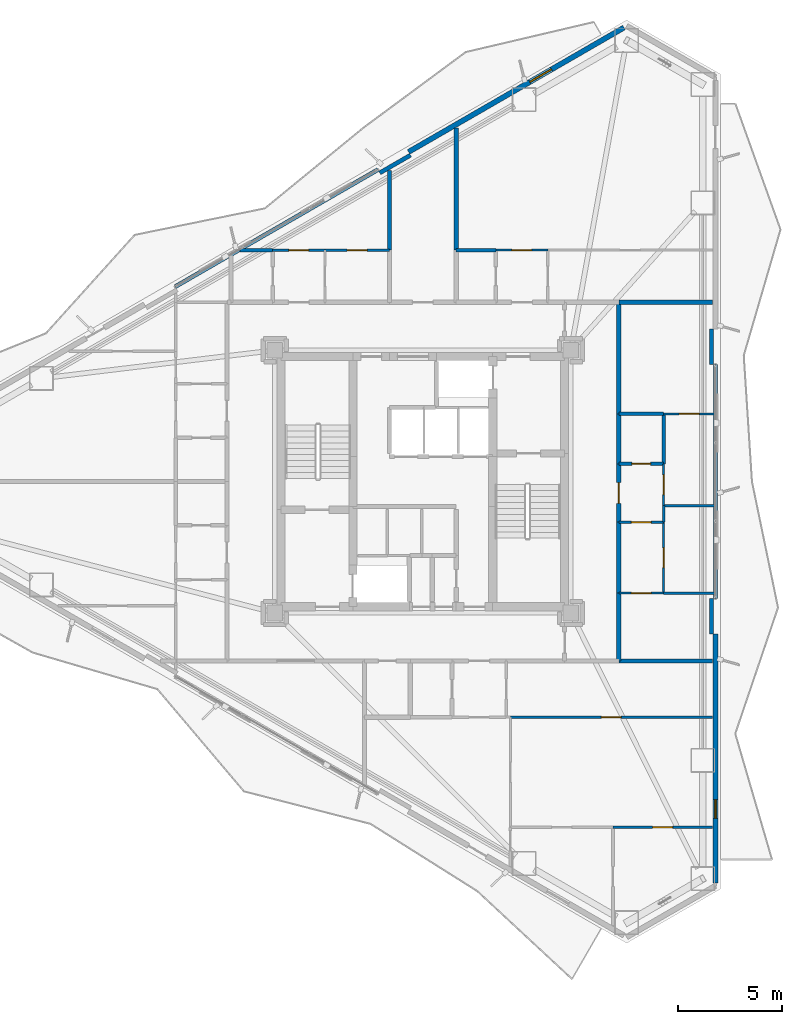
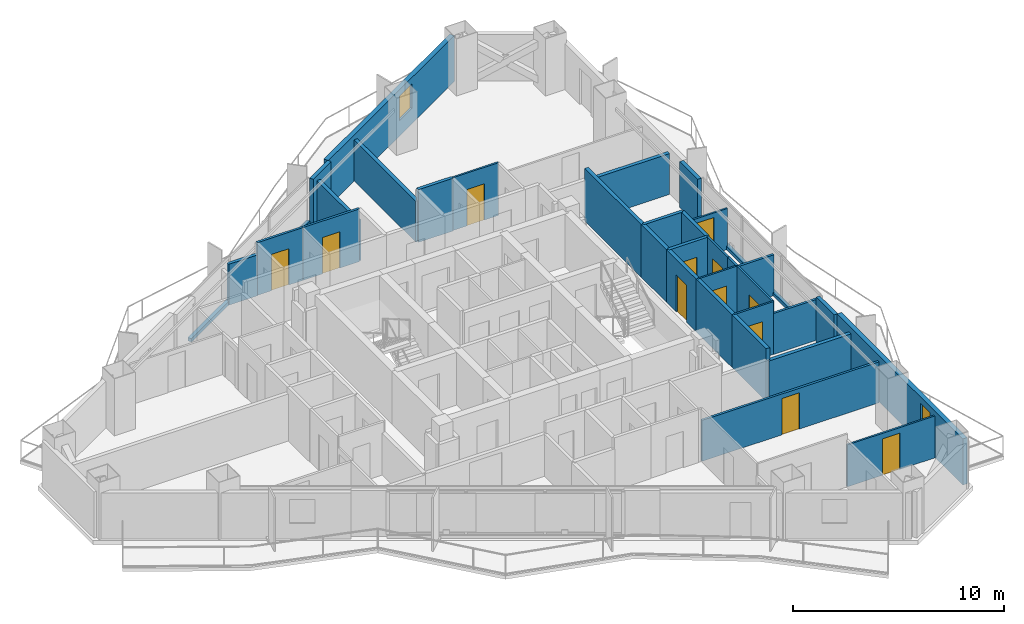
# One storey, part 19 of 22: 34 walls, 12 doors, 2 windows, 14 openings.
"""IFC4 building model written with IfcOpenShell, lengths in metres."""

from ifc_helpers import new_model, si_unit, direction, frame, frame_2d, origin, place, context, subcontext, project, spatial, rectangle, extrude, material, layer, layer_set, type_object, element, fill, save


model = new_model("IFC4")

# Units and contexts
model_context = context("Model", 3, precision=1e-05, world=origin(), true_north=direction((0.0, 1.0)))
body_context = subcontext(model_context, "Body", "Model", "MODEL_VIEW")
ifc_project = project(units=[si_unit("LENGTHUNIT", "METRE"), si_unit("AREAUNIT", "SQUARE_METRE"), si_unit("VOLUMEUNIT", "CUBIC_METRE"), si_unit("PLANEANGLEUNIT", "RADIAN"), si_unit("MASSUNIT", "GRAM", prefix="KILO")], contexts=[model_context])

# Site, building, storey
site_placement = place(None, origin())
site = spatial("IfcSite", under=ifc_project, at=site_placement, CompositionType="ELEMENT")
building_placement = place(site_placement, origin())
building = spatial("IfcBuilding", under=site, at=building_placement, Name="Mersakhor Tower and Convention Hall", CompositionType="ELEMENT")
storey_placement = place(building_placement, frame((0.0, 0.0, 103.199951171875)))
storey = spatial("IfcBuildingStorey", under=building, at=storey_placement, Name="L28", CompositionType="ELEMENT", Elevation=103.199951171875)

# Wall, opening, window
ifc_material_1 = material(Name="Precast concrete C40/50", Category="concrete")
ifc_layer_1 = layer(ifc_material_1, 0.25)
ifc_layer_set_1 = layer_set([ifc_layer_1], Name="Precast concrete C40/50")
wall_type_1 = type_object("IfcWallType", Name="WL-EXT-250", PredefinedType="SOLIDWALL", material=ifc_layer_set_1)
wall_1_placement = place(storey_placement, frame((28.3173828125, 42.561767578125, 0.0), z_axis=(0.0, 0.0, 1.0), x_axis=(0.866023023012, 0.500004123596, 0.0)))
wall_1 = element("IfcWall", 1, at=wall_1_placement, inside=storey, type_object=wall_type_1, Name="L28 Exterior Facade Wall F1-B3", PredefinedType="SOLIDWALL", context=body_context, shape_type="SweptSolid", body=[
    extrude(rectangle(XDim=11.9296875, YDim=0.25, at=frame_2d((5.96484375, 0.0))), origin(), (0.0, 0.0, 1.0), 2.670166015625),
])
opening_1_placement = place(wall_1_placement, frame((6.718017578125, 0.0, 0.89990234375)))
opening_1 = element("IfcOpeningElement", 2, at=opening_1_placement, cuts=wall_1, Name="Opening W-01", PredefinedType="OPENING", context=body_context, shape_type="SweptSolid", body=[
    extrude(rectangle(XDim=1.199951171875, YDim=1.39990234375, at=frame_2d((0.60009765625, 0.699951171875))), frame((0.0, 0.135009765625, 0.0), z_axis=(0.0, -1.0, 0.0), x_axis=(1.0, 0.0, 0.0)), (0.0, 0.0, 1.0), 0.27001953125),
])
ifc_material_2 = material(Name="Dark solar low-E glazed aluminium window", Category="aluminium")
window_type_1 = type_object("IfcWindowType", Name="WN-RES-120x150", PartitioningType="SINGLE_PANEL", PredefinedType="WINDOW", material=ifc_material_2)
window_1_placement = place(opening_1_placement, origin())
window_1 = element("IfcWindow", 3, at=window_1_placement, inside=storey, type_object=window_type_1, Name="L28 Bedroom Facade Window F1-B3-1", OverallHeight=1.39990234375, OverallWidth=1.199951171875, PartitioningType="SINGLE_PANEL", PredefinedType="WINDOW", context=body_context, shape_type="SweptSolid", body=[
    extrude(rectangle(XDim=1.199951171875, YDim=1.39990234375, at=frame_2d((0.60009765625, 0.699951171875))), frame((0.0, 0.030029296875, 0.0), z_axis=(0.0, -1.0, 0.0), x_axis=(1.0, 0.0, 0.0)), (0.0, 0.0, 1.0), 0.06005859375),
])
fill(opening_1, window_1)

wall_2_placement = place(storey_placement, frame((43.03466796875, 19.435302734375, 0.0), z_axis=(0.0, 0.0, 1.0), x_axis=(0.0, -1.0, 0.0)))
wall_2 = element("IfcWall", 4, at=wall_2_placement, inside=storey, type_object=wall_type_1, Name="L28 Exterior Facade Wall F2-B3", PredefinedType="SOLIDWALL", context=body_context, shape_type="SweptSolid", body=[
    extrude(rectangle(XDim=11.9296875, YDim=0.25, at=frame_2d((5.96484375, 0.0))), origin(), (0.0, 0.0, 1.0), 2.670166015625),
])
opening_2_placement = place(wall_2_placement, frame((7.94091796875, 0.0, 0.89990234375)))
opening_2 = element("IfcOpeningElement", 5, at=opening_2_placement, cuts=wall_2, Name="Opening W-06", PredefinedType="OPENING", context=body_context, shape_type="SweptSolid", body=[
    extrude(rectangle(XDim=0.89990234375, YDim=1.39990234375, at=frame_2d((0.449951171875, 0.699951171875))), frame((0.0, 0.135009765625, 0.0), z_axis=(0.0, -1.0, 0.0), x_axis=(1.0, 0.0, 0.0)), (0.0, 0.0, 1.0), 0.27001953125),
])
ifc_material_3 = material(Name="Dark solar low-E glazed aluminium window", Category="aluminium")
window_type_2 = type_object("IfcWindowType", Name="WN-STD-090x140", PartitioningType="SINGLE_PANEL", PredefinedType="WINDOW", material=ifc_material_3)
window_2_placement = place(opening_2_placement, origin())
window_2 = element("IfcWindow", 6, at=window_2_placement, inside=storey, type_object=window_type_2, Name="L28 Facade Punched Window F2-B3", OverallHeight=1.39990234375, OverallWidth=0.89990234375, PartitioningType="SINGLE_PANEL", PredefinedType="WINDOW", context=body_context, shape_type="SweptSolid", body=[
    extrude(rectangle(XDim=0.89990234375, YDim=1.39990234375, at=frame_2d((0.449951171875, 0.699951171875))), frame((0.0, 0.030029296875, 0.0), z_axis=(0.0, -1.0, 0.0), x_axis=(1.0, 0.0, 0.0)), (0.0, 0.0, 1.0), 0.06005859375),
])
fill(opening_2, window_2)

# Walls
ifc_material_4 = material(Name="Precast concrete C40/50", Category="concrete")
ifc_layer_2 = layer(ifc_material_4, 0.199951171875)
ifc_layer_set_2 = layer_set([ifc_layer_2], Name="Precast concrete C40/50")
wall_type_2 = type_object("IfcWallType", Name="WL-PAR-200", PredefinedType="PARAPET", material=ifc_layer_set_2)
wall_3_placement = place(storey_placement, frame((17.1201171875, 36.096923828125, 0.0), z_axis=(0.0, 0.0, 1.0), x_axis=(0.866027010039, 0.499997217876, 0.0)))
element("IfcWall", 7, at=wall_3_placement, inside=storey, type_object=wall_type_2, Name="L28 Curtain Wall Upstand Sill F1-B2", PredefinedType="PARAPET", context=body_context, shape_type="SweptSolid", body=[
    extrude(rectangle(XDim=11.2294921875, YDim=0.199951171875, at=frame_2d((5.61474609375, 0.0))), origin(), (0.0, 0.0, 1.0), 0.199951171875),
])
wall_4_placement = place(storey_placement, frame((26.935302734375, 41.555908203125, 0.0), z_axis=(0.0, 0.0, 1.0), x_axis=(0.86605165483, 0.499954529098, 0.0)))
element("IfcWall", 8, at=wall_4_placement, inside=storey, type_object=wall_type_2, Name="L28 Column Pier Cladding Wall F1-C2", PredefinedType="PARAPET", context=body_context, shape_type="SweptSolid", body=[
    extrude(rectangle(XDim=1.699951171875, YDim=0.199951171875, at=frame_2d((0.85009765625, 0.0))), origin(), (0.0, 0.0, 1.0), 2.670166015625),
])
wall_5_placement = place(storey_placement, frame((43.03466796875, 32.36474609375, 0.0), z_axis=(0.0, 0.0, 1.0), x_axis=(0.0, -1.0, 0.0)))
element("IfcWall", 9, at=wall_5_placement, inside=storey, type_object=wall_type_2, Name="L28 Curtain Wall Upstand Sill F2-B2", PredefinedType="PARAPET", context=body_context, shape_type="SweptSolid", body=[
    extrude(rectangle(XDim=11.2294921875, YDim=0.199951171875, at=frame_2d((5.61474609375, 0.0))), origin(), (0.0, 0.0, 1.0), 0.199951171875),
])
for number, where, z_axis, x_axis, name in (
    (10, (42.8544921875, 34.064697265625, 0.0), (0.0, 0.0, 1.0), (0.0, -1.0, 0.0), "L28 Column Pier Cladding Wall F2-C1"),
    (11, (42.8544921875, 21.13525390625, 0.0), (0.0, 0.0, 1.0), (0.0, -1.0, 0.0), "L28 Column Pier Cladding Wall F2-C2"),
):
    element("IfcWall", number, at=place(storey_placement, frame(where, z_axis=z_axis, x_axis=x_axis)), inside=storey, type_object=wall_type_2, Name=name, PredefinedType="PARAPET", context=body_context, shape_type="SweptSolid", body=[
        extrude(rectangle(XDim=1.699951171875, YDim=0.199951171875, at=frame_2d((0.85009765625, 0.0))), origin(), (0.0, 0.0, 1.0), 2.670166015625),
    ])

# Wall, opening, door
ifc_material_5 = material(Name="Moisture-resistant acoustic drywall studwork", Category="other")
ifc_layer_3 = layer(ifc_material_5, 0.175048828125)
ifc_layer_set_3 = layer_set([ifc_layer_3], Name="Moisture-resistant acoustic drywall studwork")
wall_type_3 = type_object("IfcWallType", Name="WL-PLM-175", PredefinedType="PLUMBINGWALL", material=ifc_layer_set_3)
wall_6_placement = place(storey_placement, frame((38.39990234375, 27.60009765625, 0.0), z_axis=(0.0, 0.0, 1.0), x_axis=(1.0, 0.0, 0.0)))
wall_6 = element("IfcWall", 12, at=wall_6_placement, inside=storey, type_object=wall_type_3, Name="L28 Interior Partition Wall P-083", PredefinedType="PLUMBINGWALL", context=body_context, shape_type="SweptSolid", body=[
    extrude(rectangle(XDim=2.150146484375, YDim=0.175048828125, at=frame_2d((1.0751953125, 0.0))), origin(), (0.0, 0.0, 1.0), 3.050048828125),
])
opening_3_placement = place(wall_6_placement, frame((0.625, 0.0, 0.0)))
opening_3 = element("IfcOpeningElement", 13, at=opening_3_placement, cuts=wall_6, Name="Opening WD-01", PredefinedType="OPENING", context=body_context, shape_type="SweptSolid", body=[
    extrude(rectangle(XDim=0.89990234375, YDim=2.10009765625, at=frame_2d((0.449951171875, 1.050048828125))), frame((0.0, 0.097412109375, 0.0), z_axis=(0.0, -1.0, 0.0), x_axis=(1.0, 0.0, 0.0)), (0.0, 0.0, 1.0), 0.195068359375),
])
ifc_material_6 = material(Name="Solid-core hardwood leaf in painted steel frame", Category="steel")
door_type_1 = type_object("IfcDoorType", Name="DR-INT-WET-090x210", OperationType="NOTDEFINED", PredefinedType="DOOR", material=ifc_material_6)
door_1_placement = place(opening_3_placement, origin())
door_1 = element("IfcDoor", 14, at=door_1_placement, inside=storey, type_object=door_type_1, Name="L28 L28 Flat E6 Apartment Hall to L28 Flat E6 Bathroom Door", OperationType="SINGLE_SWING_LEFT", OverallHeight=2.10009765625, OverallWidth=0.89990234375, PredefinedType="DOOR", context=body_context, shape_type="SweptSolid", body=[
    extrude(rectangle(XDim=0.89990234375, YDim=2.10009765625, at=frame_2d((0.449951171875, 1.050048828125))), frame((0.0, 0.02490234375, 0.0), z_axis=(0.0, -1.0, 0.0), x_axis=(1.0, 0.0, 0.0)), (0.0, 0.0, 1.0), 0.050048828125),
])
fill(opening_3, door_1)

# Walls
wall_7_placement = place(storey_placement, frame((20.221923828125, 37.85009765625, 0.0), z_axis=(0.0, 0.0, 1.0), x_axis=(1.0, 0.0, 0.0)))
element("IfcWall", 15, at=wall_7_placement, inside=storey, type_object=wall_type_3, Name="L28 Interior Partition Wall P-088", PredefinedType="PLUMBINGWALL", context=body_context, shape_type="SweptSolid", body=[
    extrude(rectangle(XDim=1.578125, YDim=0.175048828125, at=frame_2d((0.7890625, 0.0))), origin(), (0.0, 0.0, 1.0), 2.364990234375),
])
wall_8_placement = place(storey_placement, frame((30.60009765625, 37.85009765625, 0.0), z_axis=(0.0, 0.0, 1.0), x_axis=(1.0, 0.0, 0.0)))
element("IfcWall", 16, at=wall_8_placement, inside=storey, type_object=wall_type_3, Name="L28 Interior Partition Wall P-091", PredefinedType="PLUMBINGWALL", context=body_context, shape_type="SweptSolid", body=[
    extrude(rectangle(XDim=1.89990234375, YDim=0.175048828125, at=frame_2d((0.949951171875, 0.0))), origin(), (0.0, 0.0, 1.0), 3.050048828125),
])
wall_9_placement = place(storey_placement, frame((40.550048828125, 30.0, 0.0), z_axis=(0.0, 0.0, 1.0), x_axis=(0.0, -1.0, 0.0)))
element("IfcWall", 17, at=wall_9_placement, inside=storey, type_object=wall_type_3, Name="L28 Interior Partition Wall P-108", PredefinedType="PLUMBINGWALL", context=body_context, shape_type="SweptSolid", body=[
    extrude(rectangle(XDim=2.39990234375, YDim=0.175048828125, at=frame_2d((1.199951171875, 0.0))), origin(), (0.0, 0.0, 1.0), 3.050048828125),
])
wall_10_placement = place(storey_placement, frame((38.39990234375, 30.0, 0.0), z_axis=(0.0, 0.0, 1.0), x_axis=(1.0, 0.0, 0.0)))
element("IfcWall", 18, at=wall_10_placement, inside=storey, type_object=wall_type_3, Name="L28 Interior Partition Wall P-109", PredefinedType="PLUMBINGWALL", context=body_context, shape_type="SweptSolid", body=[
    extrude(rectangle(XDim=2.150146484375, YDim=0.175048828125, at=frame_2d((1.0751953125, 0.0))), origin(), (0.0, 0.0, 1.0), 3.050048828125),
])

# Wall, opening, door
ifc_material_7 = material(Name="Lightweight gypsum partition", Category="other")
ifc_layer_4 = layer(ifc_material_7, 0.10009765625)
ifc_layer_set_4 = layer_set([ifc_layer_4], Name="Lightweight gypsum partition")
wall_type_4 = type_object("IfcWallType", Name="WL-PRT-100", PredefinedType="PARTITIONING", material=ifc_layer_set_4)
wall_11_placement = place(storey_placement, frame((32.5, 37.85009765625, 0.0), z_axis=(0.0, 0.0, 1.0), x_axis=(1.0, 0.0, 0.0)))
wall_11 = element("IfcWall", 19, at=wall_11_placement, inside=storey, type_object=wall_type_4, Name="L28 Interior Partition Wall P-068", PredefinedType="PARTITIONING", context=body_context, shape_type="SweptSolid", body=[
    extrude(rectangle(XDim=2.5, YDim=0.10009765625, at=frame_2d((1.25, 0.0))), origin(), (0.0, 0.0, 1.0), 3.050048828125),
])
opening_4_placement = place(wall_11_placement, frame((0.77490234375, 0.0, 0.0)))
opening_4 = element("IfcOpeningElement", 20, at=opening_4_placement, cuts=wall_11, Name="Opening RD-01", PredefinedType="OPENING", context=body_context, shape_type="SweptSolid", body=[
    extrude(rectangle(XDim=0.949951171875, YDim=2.10009765625, at=frame_2d((0.47509765625, 1.050048828125))), frame((0.0, 0.06005859375, 0.0), z_axis=(0.0, -1.0, 0.0), x_axis=(1.0, 0.0, 0.0)), (0.0, 0.0, 1.0), 0.1201171875),
])
ifc_material_8 = material(Name="Solid-core hardwood leaf in painted steel frame", Category="steel")
door_type_2 = type_object("IfcDoorType", Name="DR-INT-RM-095x210", OperationType="NOTDEFINED", PredefinedType="DOOR", material=ifc_material_8)
door_2_placement = place(opening_4_placement, origin())
door_2 = element("IfcDoor", 21, at=door_2_placement, inside=storey, type_object=door_type_2, Name="L28 L28 Flat N2 Apartment Hall to L28 Flat N2 Studio Living and Sleeping Room Door", OperationType="SINGLE_SWING_LEFT", OverallHeight=2.10009765625, OverallWidth=0.949951171875, PredefinedType="DOOR", context=body_context, shape_type="SweptSolid", body=[
    extrude(rectangle(XDim=0.949951171875, YDim=2.10009765625, at=frame_2d((0.47509765625, 1.050048828125))), frame((0.0, 0.02490234375, 0.0), z_axis=(0.0, -1.0, 0.0), x_axis=(1.0, 0.0, 0.0)), (0.0, 0.0, 1.0), 0.050048828125),
])
fill(opening_4, door_2)

wall_12_placement = place(storey_placement, frame((40.550048828125, 27.60009765625, 0.0), z_axis=(0.0, 0.0, 1.0), x_axis=(0.0, -1.0, 0.0)))
wall_12 = element("IfcWall", 22, at=wall_12_placement, inside=storey, type_object=wall_type_4, Name="L28 Interior Partition Wall P-080", PredefinedType="PARTITIONING", context=body_context, shape_type="SweptSolid", body=[
    extrude(rectangle(XDim=2.0, YDim=0.10009765625, at=frame_2d((1.0, 0.0))), origin(), (0.0, 0.0, 1.0), 3.050048828125),
])
opening_5_placement = place(wall_12_placement, frame((0.52490234375, 0.0, 0.0)))
opening_5 = element("IfcOpeningElement", 23, at=opening_5_placement, cuts=wall_12, Name="Opening RD-01", PredefinedType="OPENING", context=body_context, shape_type="SweptSolid", body=[
    extrude(rectangle(XDim=0.949951171875, YDim=2.10009765625, at=frame_2d((0.47509765625, 1.050048828125))), frame((0.0, 0.06005859375, 0.0), z_axis=(0.0, -1.0, 0.0), x_axis=(1.0, 0.0, 0.0)), (0.0, 0.0, 1.0), 0.1201171875),
])
door_3_placement = place(opening_5_placement, origin())
door_3 = element("IfcDoor", 24, at=door_3_placement, inside=storey, type_object=door_type_2, Name="L28 L28 Flat E6 Apartment Hall to L28 Flat E6 Master Bedroom Door", OperationType="SINGLE_SWING_RIGHT", OverallHeight=2.10009765625, OverallWidth=0.949951171875, PredefinedType="DOOR", context=body_context, shape_type="SweptSolid", body=[
    extrude(rectangle(XDim=0.949951171875, YDim=2.10009765625, at=frame_2d((0.47509765625, 1.050048828125))), frame((0.0, 0.02490234375, 0.0), z_axis=(0.0, -1.0, 0.0), x_axis=(1.0, 0.0, 0.0)), (0.0, 0.0, 1.0), 0.050048828125),
])
fill(opening_5, door_3)

wall_13_placement = place(storey_placement, frame((40.550048828125, 24.800048828125, 0.0), z_axis=(0.0, 0.0, 1.0), x_axis=(-1.0, 0.0, 0.0)))
wall_13 = element("IfcWall", 25, at=wall_13_placement, inside=storey, type_object=wall_type_4, Name="L28 Interior Partition Wall P-082", PredefinedType="PARTITIONING", context=body_context, shape_type="SweptSolid", body=[
    extrude(rectangle(XDim=2.150146484375, YDim=0.10009765625, at=frame_2d((1.0751953125, 0.0))), origin(), (0.0, 0.0, 1.0), 3.050048828125),
])
opening_6_placement = place(wall_13_placement, frame((0.60009765625, 0.0, 0.0)))
opening_6 = element("IfcOpeningElement", 26, at=opening_6_placement, cuts=wall_13, Name="Opening RD-01", PredefinedType="OPENING", context=body_context, shape_type="SweptSolid", body=[
    extrude(rectangle(XDim=0.949951171875, YDim=2.10009765625, at=frame_2d((0.47509765625, 1.050048828125))), frame((0.0, 0.06005859375, 0.0), z_axis=(0.0, -1.0, 0.0), x_axis=(1.0, 0.0, 0.0)), (0.0, 0.0, 1.0), 0.1201171875),
])
door_4_placement = place(opening_6_placement, origin())
door_4 = element("IfcDoor", 27, at=door_4_placement, inside=storey, type_object=door_type_2, Name="L28 L28 Flat E6 Apartment Hall to L28 Flat E6 Dining Alcove Door", OperationType="SINGLE_SWING_LEFT", OverallHeight=2.10009765625, OverallWidth=0.949951171875, PredefinedType="DOOR", context=body_context, shape_type="SweptSolid", body=[
    extrude(rectangle(XDim=0.949951171875, YDim=2.10009765625, at=frame_2d((0.47509765625, 1.050048828125))), frame((0.0, 0.02490234375, 0.0), z_axis=(0.0, -1.0, 0.0), x_axis=(1.0, 0.0, 0.0)), (0.0, 0.0, 1.0), 0.050048828125),
])
fill(opening_6, door_4)

wall_14_placement = place(storey_placement, frame((38.39990234375, 21.39990234375, 0.0), z_axis=(0.0, 0.0, 1.0), x_axis=(1.0, 0.0, 0.0)))
wall_14 = element("IfcWall", 28, at=wall_14_placement, inside=storey, type_object=wall_type_4, Name="L28 Interior Partition Wall P-110", PredefinedType="PARTITIONING", context=body_context, shape_type="SweptSolid", body=[
    extrude(rectangle(XDim=2.150146484375, YDim=0.10009765625, at=frame_2d((1.0751953125, 0.0))), origin(), (0.0, 0.0, 1.0), 3.050048828125),
])
opening_7_placement = place(wall_14_placement, frame((0.60009765625, 0.0, 0.0)))
opening_7 = element("IfcOpeningElement", 29, at=opening_7_placement, cuts=wall_14, Name="Opening RD-01", PredefinedType="OPENING", context=body_context, shape_type="SweptSolid", body=[
    extrude(rectangle(XDim=0.949951171875, YDim=2.10009765625, at=frame_2d((0.47509765625, 1.050048828125))), frame((0.0, 0.06005859375, 0.0), z_axis=(0.0, -1.0, 0.0), x_axis=(1.0, 0.0, 0.0)), (0.0, 0.0, 1.0), 0.1201171875),
])
door_5_placement = place(opening_7_placement, origin())
door_5 = element("IfcDoor", 30, at=door_5_placement, inside=storey, type_object=door_type_2, Name="L28 L28 Flat E6 Kitchen to L28 Flat E6 Dining Alcove Door", OperationType="SINGLE_SWING_LEFT", OverallHeight=2.10009765625, OverallWidth=0.949951171875, PredefinedType="DOOR", context=body_context, shape_type="SweptSolid", body=[
    extrude(rectangle(XDim=0.949951171875, YDim=2.10009765625, at=frame_2d((0.47509765625, 1.050048828125))), frame((0.0, 0.02490234375, 0.0), z_axis=(0.0, -1.0, 0.0), x_axis=(1.0, 0.0, 0.0)), (0.0, 0.0, 1.0), 0.050048828125),
])
fill(opening_7, door_5)

wall_15_placement = place(storey_placement, frame((38.1201171875, 10.169921875, 0.0), z_axis=(0.0, 0.0, 1.0), x_axis=(1.0, 0.0, 0.0)))
wall_15 = element("IfcWall", 31, at=wall_15_placement, inside=storey, type_object=wall_type_4, Name="L28 Interior Partition Wall P-122", PredefinedType="PARTITIONING", context=body_context, shape_type="SweptSolid", body=[
    extrude(rectangle(XDim=4.765380859375, YDim=0.10009765625, at=frame_2d((2.3828125, 0.0))), origin(), (0.0, 0.0, 1.0), 2.4228515625),
])
opening_8_placement = place(wall_15_placement, frame((1.90771484375, 0.0, 0.0)))
opening_8 = element("IfcOpeningElement", 32, at=opening_8_placement, cuts=wall_15, Name="Opening RD-01", PredefinedType="OPENING", context=body_context, shape_type="SweptSolid", body=[
    extrude(rectangle(XDim=0.949951171875, YDim=2.10009765625, at=frame_2d((0.47509765625, 1.050048828125))), frame((0.0, 0.06005859375, 0.0), z_axis=(0.0, -1.0, 0.0), x_axis=(1.0, 0.0, 0.0)), (0.0, 0.0, 1.0), 0.1201171875),
])
door_6_placement = place(opening_8_placement, origin())
door_6 = element("IfcDoor", 33, at=door_6_placement, inside=storey, type_object=door_type_2, Name="L28 L28 Flat S3 Study Room to L28 Flat S3 Dining Room Door", OperationType="SINGLE_SWING_RIGHT", OverallHeight=2.10009765625, OverallWidth=0.949951171875, PredefinedType="DOOR", context=body_context, shape_type="SweptSolid", body=[
    extrude(rectangle(XDim=0.949951171875, YDim=2.10009765625, at=frame_2d((0.47509765625, 1.050048828125))), frame((0.0, 0.02490234375, 0.0), z_axis=(0.0, -1.0, 0.0), x_axis=(1.0, 0.0, 0.0)), (0.0, 0.0, 1.0), 0.050048828125),
])
fill(opening_8, door_6)

wall_16_placement = place(storey_placement, frame((42.99853515625, 30.0, 0.0), z_axis=(0.0, 0.0, 1.0), x_axis=(-1.0, 0.0, 0.0)))
wall_16 = element("IfcWall", 34, at=wall_16_placement, inside=storey, type_object=wall_type_4, Name="L28 Interior Partition Wall P-128", PredefinedType="PARTITIONING", context=body_context, shape_type="SweptSolid", body=[
    extrude(rectangle(XDim=2.448486328125, YDim=0.10009765625, at=frame_2d((1.22412109375, 0.0))), origin(), (0.0, 0.0, 1.0), 2.364990234375),
])
opening_9_placement = place(wall_16_placement, frame((0.749267578125, 0.0, 0.0)))
opening_9 = element("IfcOpeningElement", 35, at=opening_9_placement, cuts=wall_16, Name="Opening RD-01", PredefinedType="OPENING", context=body_context, shape_type="SweptSolid", body=[
    extrude(rectangle(XDim=0.949951171875, YDim=2.10009765625, at=frame_2d((0.47509765625, 1.050048828125))), frame((0.0, 0.06005859375, 0.0), z_axis=(0.0, -1.0, 0.0), x_axis=(1.0, 0.0, 0.0)), (0.0, 0.0, 1.0), 0.1201171875),
])
door_7_placement = place(opening_9_placement, origin())
door_7 = element("IfcDoor", 36, at=door_7_placement, inside=storey, type_object=door_type_2, Name="L28 L28 Flat E6 Living and Dining Room to L28 Flat E6 Master Bedroom Door", OperationType="SINGLE_SWING_LEFT", OverallHeight=2.10009765625, OverallWidth=0.949951171875, PredefinedType="DOOR", context=body_context, shape_type="SweptSolid", body=[
    extrude(rectangle(XDim=0.949951171875, YDim=2.10009765625, at=frame_2d((0.47509765625, 1.050048828125))), frame((0.0, 0.02490234375, 0.0), z_axis=(0.0, -1.0, 0.0), x_axis=(1.0, 0.0, 0.0)), (0.0, 0.0, 1.0), 0.050048828125),
])
fill(opening_9, door_7)

wall_17_placement = place(storey_placement, frame((40.550048828125, 21.39990234375, 0.0), z_axis=(0.0, 0.0, 1.0), x_axis=(0.0, 1.0, 0.0)))
wall_17 = element("IfcWall", 37, at=wall_17_placement, inside=storey, type_object=wall_type_4, Name="L28 Interior Partition Wall P-130", PredefinedType="PARTITIONING", context=body_context, shape_type="SweptSolid", body=[
    extrude(rectangle(XDim=3.400146484375, YDim=0.10009765625, at=frame_2d((1.7001953125, 0.0))), origin(), (0.0, 0.0, 1.0), 3.050048828125),
])
opening_10_placement = place(wall_17_placement, frame((1.22509765625, 0.0, 0.0)))
opening_10 = element("IfcOpeningElement", 38, at=opening_10_placement, cuts=wall_17, Name="Opening RD-01", PredefinedType="OPENING", context=body_context, shape_type="SweptSolid", body=[
    extrude(rectangle(XDim=0.949951171875, YDim=2.10009765625, at=frame_2d((0.47509765625, 1.050048828125))), frame((0.0, 0.06005859375, 0.0), z_axis=(0.0, -1.0, 0.0), x_axis=(1.0, 0.0, 0.0)), (0.0, 0.0, 1.0), 0.1201171875),
])
door_8_placement = place(opening_10_placement, origin())
door_8 = element("IfcDoor", 39, at=door_8_placement, inside=storey, type_object=door_type_2, Name="L28 L28 Flat E6 Bedroom 2 to L28 Flat E6 Dining Alcove Door", OperationType="SINGLE_SWING_RIGHT", OverallHeight=2.10009765625, OverallWidth=0.949951171875, PredefinedType="DOOR", context=body_context, shape_type="SweptSolid", body=[
    extrude(rectangle(XDim=0.949951171875, YDim=2.10009765625, at=frame_2d((0.47509765625, 1.050048828125))), frame((0.0, 0.02490234375, 0.0), z_axis=(0.0, -1.0, 0.0), x_axis=(1.0, 0.0, 0.0)), (0.0, 0.0, 1.0), 0.050048828125),
])
fill(opening_10, door_8)

ifc_material_9 = material(Name="Gypsum board acoustic partition", Category="other")
ifc_layer_5 = layer(ifc_material_9, 0.125)
ifc_layer_set_5 = layer_set([ifc_layer_5], Name="Gypsum board acoustic partition")
wall_type_5 = type_object("IfcWallType", Name="WL-PRT-125", PredefinedType="PARTITIONING", material=ifc_layer_set_5)
wall_18_placement = place(storey_placement, frame((21.800048828125, 37.85009765625, 0.0), z_axis=(0.0, 0.0, 1.0), x_axis=(1.0, 0.0, 0.0)))
wall_18 = element("IfcWall", 40, at=wall_18_placement, inside=storey, type_object=wall_type_5, Name="L28 Interior Partition Wall P-065", PredefinedType="PARTITIONING", context=body_context, shape_type="SweptSolid", body=[
    extrude(rectangle(XDim=2.5, YDim=0.125, at=frame_2d((1.25, 0.0))), origin(), (0.0, 0.0, 1.0), 3.050048828125),
])
opening_11_placement = place(wall_18_placement, frame((0.77490234375, 0.0, 0.0)))
opening_11 = element("IfcOpeningElement", 41, at=opening_11_placement, cuts=wall_18, Name="Opening RD-01", PredefinedType="OPENING", context=body_context, shape_type="SweptSolid", body=[
    extrude(rectangle(XDim=0.949951171875, YDim=2.10009765625, at=frame_2d((0.47509765625, 1.050048828125))), frame((0.0, 0.072509765625, 0.0), z_axis=(0.0, -1.0, 0.0), x_axis=(1.0, 0.0, 0.0)), (0.0, 0.0, 1.0), 0.14501953125),
])
door_9_placement = place(opening_11_placement, origin())
door_9 = element("IfcDoor", 42, at=door_9_placement, inside=storey, type_object=door_type_2, Name="L28 L28 Flat N1 Apartment Hall to L28 Flat N1 Studio Living and Sleeping Room Door", OperationType="SINGLE_SWING_RIGHT", OverallHeight=2.10009765625, OverallWidth=0.949951171875, PredefinedType="DOOR", context=body_context, shape_type="SweptSolid", body=[
    extrude(rectangle(XDim=0.949951171875, YDim=2.10009765625, at=frame_2d((0.47509765625, 1.050048828125))), frame((0.0, 0.02490234375, 0.0), z_axis=(0.0, -1.0, 0.0), x_axis=(1.0, 0.0, 0.0)), (0.0, 0.0, 1.0), 0.050048828125),
])
fill(opening_11, door_9)

# Wall
wall_19_placement = place(storey_placement, frame((40.550048828125, 25.60009765625, 0.0), z_axis=(0.0, 0.0, 1.0), x_axis=(0.0, -1.0, 0.0)))
element("IfcWall", 43, at=wall_19_placement, inside=storey, type_object=wall_type_5, Name="L28 Interior Partition Wall P-081", PredefinedType="PARTITIONING", context=body_context, shape_type="SweptSolid", body=[
    extrude(rectangle(XDim=0.800048828125, YDim=0.125, at=frame_2d((0.39990234375, 0.0))), origin(), (0.0, 0.0, 1.0), 3.050048828125),
])

# Wall, opening, door
wall_20_placement = place(storey_placement, frame((24.300048828125, 37.85009765625, 0.0), z_axis=(0.0, 0.0, 1.0), x_axis=(1.0, 0.0, 0.0)))
wall_20 = element("IfcWall", 44, at=wall_20_placement, inside=storey, type_object=wall_type_5, Name="L28 Interior Partition Wall P-089", PredefinedType="PARTITIONING", context=body_context, shape_type="SweptSolid", body=[
    extrude(rectangle(XDim=3.099853515625, YDim=0.125, at=frame_2d((1.5498046875, 0.0))), origin(), (0.0, 0.0, 1.0), 3.050048828125),
])
opening_12_placement = place(wall_20_placement, frame((1.074951171875, 0.0, 0.0)))
opening_12 = element("IfcOpeningElement", 45, at=opening_12_placement, cuts=wall_20, Name="Opening RD-01", PredefinedType="OPENING", context=body_context, shape_type="SweptSolid", body=[
    extrude(rectangle(XDim=0.949951171875, YDim=2.10009765625, at=frame_2d((0.47509765625, 1.050048828125))), frame((0.0, 0.072509765625, 0.0), z_axis=(0.0, -1.0, 0.0), x_axis=(1.0, 0.0, 0.0)), (0.0, 0.0, 1.0), 0.14501953125),
])
door_10_placement = place(opening_12_placement, origin())
door_10 = element("IfcDoor", 46, at=door_10_placement, inside=storey, type_object=door_type_2, Name="L28 L28 Flat N1 Kitchen to L28 Flat N1 Studio Living and Sleeping Room Door", OperationType="SINGLE_SWING_RIGHT", OverallHeight=2.10009765625, OverallWidth=0.949951171875, PredefinedType="DOOR", context=body_context, shape_type="SweptSolid", body=[
    extrude(rectangle(XDim=0.949951171875, YDim=2.10009765625, at=frame_2d((0.47509765625, 1.050048828125))), frame((0.0, 0.02490234375, 0.0), z_axis=(0.0, -1.0, 0.0), x_axis=(1.0, 0.0, 0.0)), (0.0, 0.0, 1.0), 0.050048828125),
])
fill(opening_12, door_10)

wall_21_placement = place(storey_placement, frame((42.885498046875, 15.449951171875, 0.0), z_axis=(0.0, 0.0, 1.0), x_axis=(-1.0, 0.0, 0.0)))
wall_21 = element("IfcWall", 47, at=wall_21_placement, inside=storey, type_object=wall_type_5, Name="L28 Interior Partition Wall P-097", PredefinedType="PARTITIONING", context=body_context, shape_type="SweptSolid", body=[
    extrude(rectangle(XDim=9.685546875, YDim=0.125, at=frame_2d((4.8427734375, 0.0))), origin(), (0.0, 0.0, 1.0), 2.364990234375),
])
opening_13_placement = place(wall_21_placement, frame((4.367919921875, 0.0, 0.0)))
opening_13 = element("IfcOpeningElement", 48, at=opening_13_placement, cuts=wall_21, Name="Opening RD-01", PredefinedType="OPENING", context=body_context, shape_type="SweptSolid", body=[
    extrude(rectangle(XDim=0.949951171875, YDim=2.10009765625, at=frame_2d((0.47509765625, 1.050048828125))), frame((0.0, 0.072509765625, 0.0), z_axis=(0.0, -1.0, 0.0), x_axis=(1.0, 0.0, 0.0)), (0.0, 0.0, 1.0), 0.14501953125),
])
door_11_placement = place(opening_13_placement, origin())
door_11 = element("IfcDoor", 49, at=door_11_placement, inside=storey, type_object=door_type_2, Name="L28 L28 Flat S3 Kitchen to L28 Flat S3 Dining Room Door", OperationType="SINGLE_SWING_RIGHT", OverallHeight=2.10009765625, OverallWidth=0.949951171875, PredefinedType="DOOR", context=body_context, shape_type="SweptSolid", body=[
    extrude(rectangle(XDim=0.949951171875, YDim=2.10009765625, at=frame_2d((0.47509765625, 1.050048828125))), frame((0.0, 0.02490234375, 0.0), z_axis=(0.0, -1.0, 0.0), x_axis=(1.0, 0.0, 0.0)), (0.0, 0.0, 1.0), 0.050048828125),
])
fill(opening_13, door_11)

# Walls
for number, where, z_axis, x_axis, name in (
    (50, (40.550048828125, 21.39990234375, 0.0), (0.0, 0.0, 1.0), (1.0, 0.0, 0.0), "L28 Interior Partition Wall P-111"),
    (51, (42.99853515625, 25.60009765625, 0.0), (0.0, 0.0, 1.0), (-1.0, 0.0, 0.0), "L28 Interior Partition Wall P-129"),
):
    element("IfcWall", number, at=place(storey_placement, frame(where, z_axis=z_axis, x_axis=x_axis)), inside=storey, type_object=wall_type_5, Name=name, PredefinedType="PARTITIONING", context=body_context, shape_type="SweptSolid", body=[
        extrude(rectangle(XDim=2.448486328125, YDim=0.125, at=frame_2d((1.22412109375, 0.0))), origin(), (0.0, 0.0, 1.0), 2.364990234375),
    ])
ifc_material_10 = material(Name="Acoustic concrete blockwork and gypsum board", Category="masonry")
ifc_layer_6 = layer(ifc_material_10, 0.199951171875)
ifc_layer_set_6 = layer_set([ifc_layer_6], Name="Acoustic concrete blockwork and gypsum board")
wall_type_6 = type_object("IfcWallType", Name="WL-PRT-200", PredefinedType="PARTITIONING", material=ifc_layer_set_6)
wall_22_placement = place(storey_placement, frame((38.39990234375, 35.35009765625, 0.0), z_axis=(0.0, 0.0, 1.0), x_axis=(0.0, -1.0, 0.0)))
element("IfcWall", 52, at=wall_22_placement, inside=storey, type_object=wall_type_6, Name="L28 Interior Partition Wall P-057", PredefinedType="PARTITIONING", context=body_context, shape_type="SweptSolid", body=[
    extrude(rectangle(XDim=5.35009765625, YDim=0.199951171875, at=frame_2d((2.675048828125, 0.0))), origin(), (0.0, 0.0, 1.0), 3.050048828125),
])
wall_23_placement = place(storey_placement, frame((38.39990234375, 30.0, 0.0), z_axis=(0.0, 0.0, 1.0), x_axis=(0.0, -1.0, 0.0)))
element("IfcWall", 53, at=wall_23_placement, inside=storey, type_object=wall_type_6, Name="L28 Interior Partition Wall P-058", PredefinedType="PARTITIONING", context=body_context, shape_type="SweptSolid", body=[
    extrude(rectangle(XDim=2.39990234375, YDim=0.199951171875, at=frame_2d((1.199951171875, 0.0))), origin(), (0.0, 0.0, 1.0), 3.050048828125),
])

# Wall, opening, door
wall_24_placement = place(storey_placement, frame((38.39990234375, 27.60009765625, 0.0), z_axis=(0.0, 0.0, 1.0), x_axis=(0.0, -1.0, 0.0)))
wall_24 = element("IfcWall", 54, at=wall_24_placement, inside=storey, type_object=wall_type_6, Name="L28 Interior Partition Wall P-059", PredefinedType="PARTITIONING", context=body_context, shape_type="SweptSolid", body=[
    extrude(rectangle(XDim=2.800048828125, YDim=0.199951171875, at=frame_2d((1.39990234375, 0.0))), origin(), (0.0, 0.0, 1.0), 3.050048828125),
])
opening_14_placement = place(wall_24_placement, frame((0.89990234375, 0.0, 0.0)))
opening_14 = element("IfcOpeningElement", 55, at=opening_14_placement, cuts=wall_24, Name="Opening FD-01", PredefinedType="OPENING", context=body_context, shape_type="SweptSolid", body=[
    extrude(rectangle(XDim=1.0, YDim=2.14990234375, at=frame_2d((0.5, 1.074951171875))), frame((0.0, 0.10986328125, 0.0), z_axis=(0.0, -1.0, 0.0), x_axis=(1.0, 0.0, 0.0)), (0.0, 0.0, 1.0), 0.219970703125),
])
ifc_material_11 = material(Name="Fire-rated hardwood leaf and painted steel frame", Category="steel")
door_type_3 = type_object("IfcDoorType", Name="DR-INT-FLT-100x215", OperationType="NOTDEFINED", PredefinedType="DOOR", material=ifc_material_11)
door_12_placement = place(opening_14_placement, origin())
door_12 = element("IfcDoor", 56, at=door_12_placement, inside=storey, type_object=door_type_3, Name="L28 Apartment Entrance Door (Residential Ring East Corridor to L28 Flat E6 Apartment Hall)", OperationType="SINGLE_SWING_LEFT", OverallHeight=2.14990234375, OverallWidth=1.0, PredefinedType="DOOR", context=body_context, shape_type="SweptSolid", body=[
    extrude(rectangle(XDim=1.0, YDim=2.14990234375, at=frame_2d((0.5, 1.074951171875))), frame((0.0, 0.02490234375, 0.0), z_axis=(0.0, -1.0, 0.0), x_axis=(1.0, 0.0, 0.0)), (0.0, 0.0, 1.0), 0.050048828125),
])
fill(opening_14, door_12)

# Walls
wall_25_placement = place(storey_placement, frame((38.39990234375, 24.800048828125, 0.0), z_axis=(0.0, 0.0, 1.0), x_axis=(0.0, -1.0, 0.0)))
element("IfcWall", 57, at=wall_25_placement, inside=storey, type_object=wall_type_6, Name="L28 Interior Partition Wall P-060", PredefinedType="PARTITIONING", context=body_context, shape_type="SweptSolid", body=[
    extrude(rectangle(XDim=3.400146484375, YDim=0.199951171875, at=frame_2d((1.7001953125, 0.0))), origin(), (0.0, 0.0, 1.0), 3.050048828125),
])
wall_26_placement = place(storey_placement, frame((38.39990234375, 21.39990234375, 0.0), z_axis=(0.0, 0.0, 1.0), x_axis=(0.0, -1.0, 0.0)))
element("IfcWall", 58, at=wall_26_placement, inside=storey, type_object=wall_type_6, Name="L28 Interior Partition Wall P-061", PredefinedType="PARTITIONING", context=body_context, shape_type="SweptSolid", body=[
    extrude(rectangle(XDim=3.25, YDim=0.199951171875, at=frame_2d((1.625, 0.0))), origin(), (0.0, 0.0, 1.0), 3.050048828125),
])
for number, where, z_axis, x_axis, name in (
    (59, (42.885498046875, 35.35009765625, 0.0), (0.0, 0.0, 1.0), (-1.0, 0.0, 0.0), "L28 Interior Partition Wall P-093"),
    (60, (38.39990234375, 18.14990234375, 0.0), (0.0, 0.0, 1.0), (1.0, 0.0, 0.0), "L28 Interior Partition Wall P-096"),
):
    element("IfcWall", number, at=place(storey_placement, frame(where, z_axis=z_axis, x_axis=x_axis)), inside=storey, type_object=wall_type_6, Name=name, PredefinedType="PARTITIONING", context=body_context, shape_type="SweptSolid", body=[
        extrude(rectangle(XDim=4.485595703125, YDim=0.199951171875, at=frame_2d((2.24267578125, 0.0))), origin(), (0.0, 0.0, 1.0), 2.364990234375),
    ])
wall_27_placement = place(storey_placement, frame((30.60009765625, 43.70751953125, 0.0), z_axis=(0.0, 0.0, 1.0), x_axis=(0.0, -1.0, 0.0)))
element("IfcWall", 61, at=wall_27_placement, inside=storey, type_object=wall_type_6, Name="L28 Interior Partition Wall P-113", PredefinedType="PARTITIONING", context=body_context, shape_type="SweptSolid", body=[
    extrude(rectangle(XDim=5.857421875, YDim=0.199951171875, at=frame_2d((2.9287109375, 0.0))), origin(), (0.0, 0.0, 1.0), 2.364990234375),
])
wall_28_placement = place(storey_placement, frame((27.39990234375, 37.85009765625, 0.0), z_axis=(0.0, 0.0, 1.0), x_axis=(0.0, 1.0, 0.0)))
element("IfcWall", 62, at=wall_28_placement, inside=storey, type_object=wall_type_6, Name="L28 Interior Partition Wall P-114", PredefinedType="PARTITIONING", context=body_context, shape_type="SweptSolid", body=[
    extrude(rectangle(XDim=3.830810546875, YDim=0.199951171875, at=frame_2d((1.91552734375, 0.0))), origin(), (0.0, 0.0, 1.0), 2.364990234375),
])

save(model, "model.ifc")
